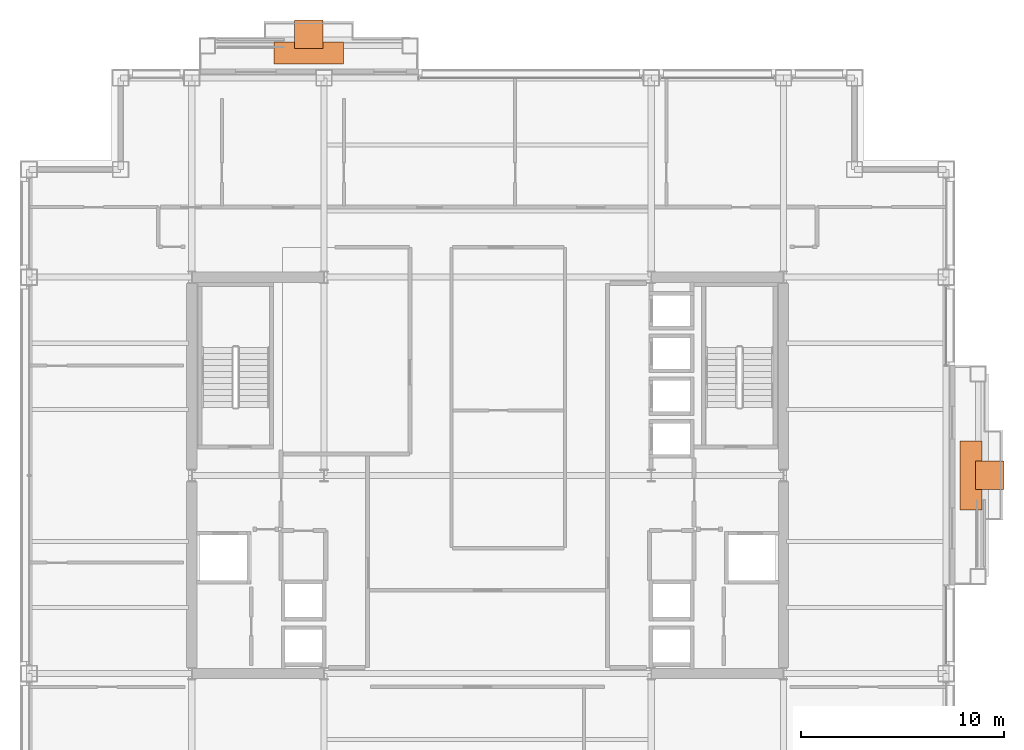
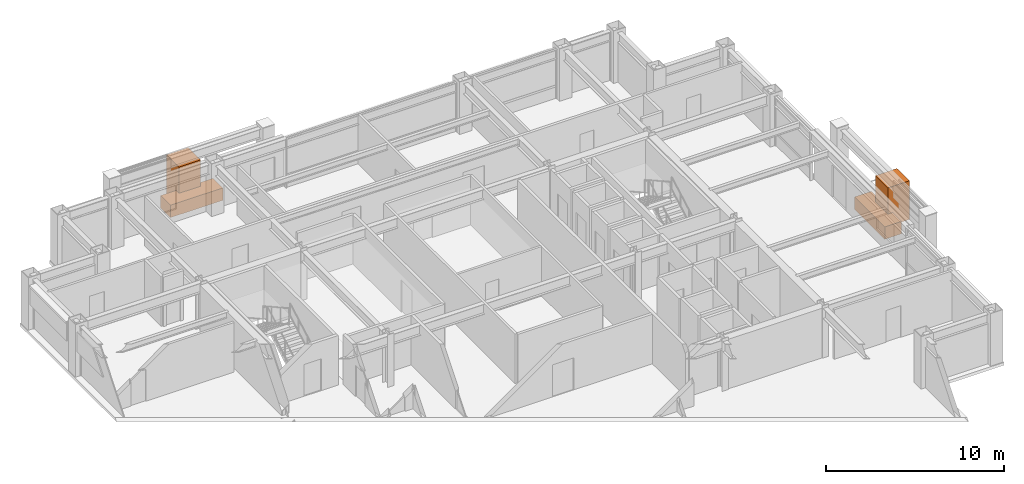
# One storey, part 29 of 29: 4 proxies.
"""IFC4 building model written with IfcOpenShell, lengths in metres."""

from ifc_helpers import new_model, si_unit, direction, frame, origin, origin_2d, place, context, subcontext, project, spatial, rectangle, extrude, material, type_object, element, save


model = new_model("IFC4")

# Units and contexts
model_context = context("Model", 3, precision=1e-05, world=origin(), true_north=direction((0.0, 1.0)))
body_context = subcontext(model_context, "Body", "Model", "MODEL_VIEW")
ifc_project = project(units=[si_unit("LENGTHUNIT", "METRE"), si_unit("AREAUNIT", "SQUARE_METRE"), si_unit("VOLUMEUNIT", "CUBIC_METRE"), si_unit("PLANEANGLEUNIT", "RADIAN"), si_unit("MASSUNIT", "GRAM", prefix="KILO")], contexts=[model_context])

# Site, building, storey
site_placement = place(None, origin())
site = spatial("IfcSite", under=ifc_project, at=site_placement, CompositionType="ELEMENT")
building_placement = place(site_placement, origin())
building = spatial("IfcBuilding", under=site, at=building_placement, Name="Brelmoor Portico Tower", CompositionType="ELEMENT")
storey_placement = place(building_placement, frame((0.0, 0.0, 138.60009765625)))
storey = spatial("IfcBuildingStorey", under=building, at=storey_placement, Name="L36", CompositionType="ELEMENT", Elevation=138.60009765625)

# Proxies
ifc_material_1 = material(Name="Planted Canopy Tree and Soil Rootball", Category="other")
building_element_proxy_type_1 = type_object("IfcBuildingElementProxyType", Name="BALCONY TREE ARBOR", PredefinedType="USERDEFINED", material=ifc_material_1)
for number, where, z_axis, x_axis, name in (
    (1, (-8.800048828125, 21.699951171875, 0.0), (0.0, 0.0, 1.0), (1.0, 0.0, 0.0), "L36 Balcony PLANTER Tree Canopy Arbor N"),
    (2, (24.699951171875, 0.0, 0.0), (0.0, 0.0, 1.0), (1.0, 0.0, 0.0), "L36 Balcony PLANTER Tree Canopy Arbor E"),
):
    element("IfcBuildingElementProxy", number, at=place(storey_placement, frame(where, z_axis=z_axis, x_axis=x_axis)), inside=storey, type_object=building_element_proxy_type_1, Name=name, ObjectType="PLANTER", PredefinedType="USERDEFINED", context=body_context, shape_type="SweptSolid", body=[
        extrude(rectangle(XDim=1.39990234375, YDim=1.39990234375, at=origin_2d()), origin(), (0.0, 0.0, 1.0), 2.64990234375),
    ])
ifc_material_2 = material(Name="Architectural Precast Concrete C40", Category="concrete")
building_element_proxy_type_2 = type_object("IfcBuildingElementProxyType", Name="TREE PLANTER", PredefinedType="USERDEFINED", material=ifc_material_2)
for number, where, z_axis, x_axis, name in (
    (3, (-8.800048828125, 20.77490234375, -0.000244140625), (0.0, 0.0, 1.0), (1.0, 0.0, 0.0), "L36 Planted Tree Planter N"),
    (4, (23.77490234375, 0.0, -0.000244140625), (0.0, 0.0, 1.0), (0.0, 1.0, 0.0), "L36 Planted Tree Planter E"),
):
    element("IfcBuildingElementProxy", number, at=place(storey_placement, frame(where, z_axis=z_axis, x_axis=x_axis)), inside=storey, type_object=building_element_proxy_type_2, Name=name, ObjectType="PLANTER", PredefinedType="USERDEFINED", context=body_context, shape_type="SweptSolid", body=[
        extrude(rectangle(XDim=3.39990234375, YDim=1.10009765625, at=origin_2d()), origin(), (0.0, 0.0, 1.0), 0.85009765625),
    ])

save(model, "model.ifc")
